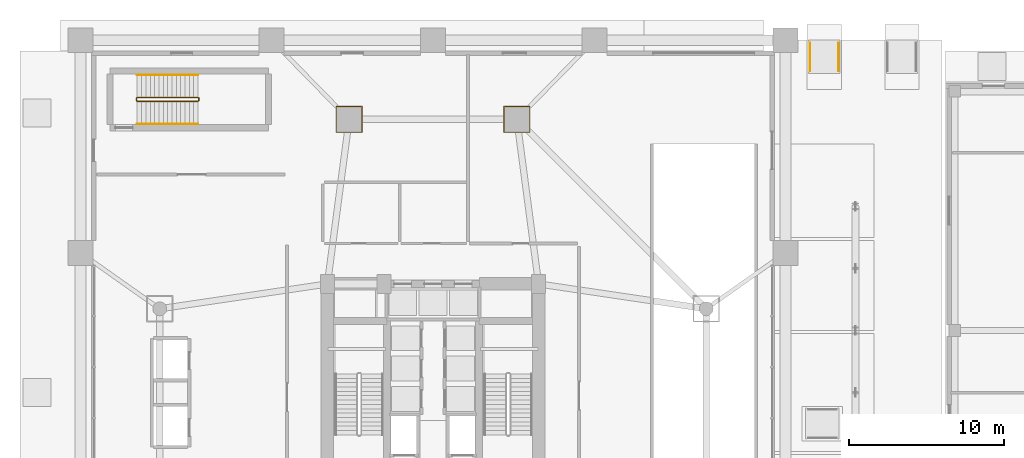
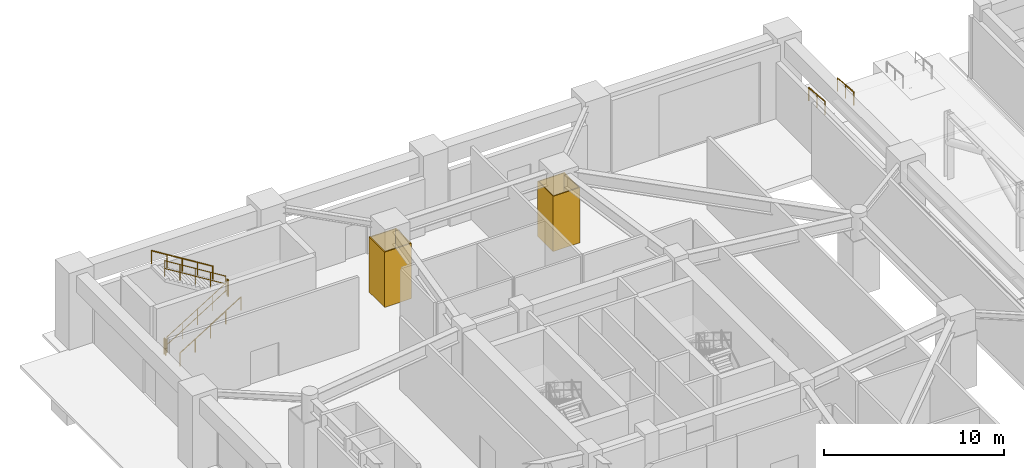
# One storey, part 25 of 27: 8 railings, 2 coverings.
"""IFC4 building model written with IfcOpenShell, lengths in metres."""

from ifc_helpers import new_model, si_unit, direction, frame, origin, origin_2d, place, context, subcontext, project, spatial, polyline, circle, outline, extrude, material, layer, layer_set, type_object, element, save


model = new_model("IFC4")

# Units and contexts
model_context = context("Model", 3, precision=1e-05, world=origin(), true_north=direction((0.0, 1.0)))
body_context = subcontext(model_context, "Body", "Model", "MODEL_VIEW")
ifc_project = project(units=[si_unit("LENGTHUNIT", "METRE"), si_unit("AREAUNIT", "SQUARE_METRE"), si_unit("VOLUMEUNIT", "CUBIC_METRE"), si_unit("PLANEANGLEUNIT", "RADIAN"), si_unit("MASSUNIT", "GRAM", prefix="KILO")], contexts=[model_context])

# Site, building, storey
site_placement = place(None, origin())
site = spatial("IfcSite", under=ifc_project, at=site_placement, CompositionType="ELEMENT")
building_placement = place(site_placement, origin())
building = spatial("IfcBuilding", under=site, at=building_placement, Name="Veraguas Prism Commons", CompositionType="ELEMENT")
storey_placement = place(building_placement, origin())
storey = spatial("IfcBuildingStorey", under=building, at=storey_placement, Name="L00", CompositionType="ELEMENT", Elevation=0.0)

# Coverings
ifc_material_1 = material(Name="Anodised aluminium EN AW-6063 T6", Category="aluminium")
ifc_layer = layer(ifc_material_1, 0.014892578125, Name="Pale-Metal Column Cladding Casing 15", Category="aluminium")
ifc_layer_set = layer_set([ifc_layer], Name="Anodised aluminium EN AW-6063 T6")
covering_type = type_object("IfcCoveringType", Name="Pale-Metal Column Cladding Casing 15", PredefinedType="CLADDING", material=ifc_layer_set)
covering_1_placement = place(storey_placement, origin())
element("IfcCovering", 1, at=covering_1_placement, inside=storey, type_object=covering_type, Name="Concourse Column Pale-Metal Cladding 03", PredefinedType="CLADDING", context=body_context, shape_type="SweptSolid", body=[
    extrude(outline(polyline([(28.5400390625, 40.739990234375), (30.260009765625, 40.739990234375), (30.260009765625, 42.4599609375), (28.5400390625, 42.4599609375), (28.5400390625, 40.739990234375)]), holes=[polyline([(28.60009765625, 40.800048828125), (30.199951171875, 40.800048828125), (30.199951171875, 42.39990234375), (28.60009765625, 42.39990234375), (28.60009765625, 40.800048828125)])]), origin(), (0.0, 0.0, 1.0), 3.75),
])
covering_2_placement = place(storey_placement, origin())
element("IfcCovering", 2, at=covering_2_placement, inside=storey, type_object=covering_type, Name="Concourse Column Pale-Metal Cladding 04", PredefinedType="CLADDING", context=body_context, shape_type="SweptSolid", body=[
    extrude(outline(polyline([(17.739990234375, 40.739990234375), (19.4599609375, 40.739990234375), (19.4599609375, 42.4599609375), (17.739990234375, 42.4599609375), (17.739990234375, 40.739990234375)]), holes=[polyline([(17.800048828125, 40.800048828125), (19.39990234375, 40.800048828125), (19.39990234375, 42.39990234375), (17.800048828125, 42.39990234375), (17.800048828125, 40.800048828125)])]), origin(), (0.0, 0.0, 1.0), 3.75),
])

# Railings
ifc_material_2 = material(Name="Stainless steel AISI 316", Category="steel")
railing_type_1 = type_object("IfcRailingType", Name="Stair and Ramp Stainless Handrail 900", PredefinedType="HANDRAIL", material=ifc_material_2)
railing_1_placement = place(storey_placement, frame((4.949951171875, 41.31005859375, 0.17333984375)))
element("IfcRailing", 3, at=railing_1_placement, inside=storey, type_object=railing_type_1, Name="Stair Handrail ST-M2 L00-1", PredefinedType="HANDRAIL", context=body_context, shape_type="SweptSolid", body=[
    extrude(circle(Radius=0.02392578125, at=origin_2d()), frame((0.0, 0.0, 0.8759765625), z_axis=(0.850266275192, 0.0, 0.526352791643), x_axis=(0.0, 1.0, 0.0)), (0.0, 0.0, 1.0), 4.610595703125),
    extrude(circle(Radius=0.02099609375, at=origin_2d()), origin(), (0.0, 0.0, 1.0), 0.851806640625),
    extrude(circle(Radius=0.02099609375, at=origin_2d()), frame((0.97998046875, 0.0, 0.606689453125)), (0.0, 0.0, 1.0), 0.851806640625),
    extrude(circle(Radius=0.02099609375, at=origin_2d()), frame((1.9599609375, 0.0, 1.21337890625)), (0.0, 0.0, 1.0), 0.851806640625),
    extrude(circle(Radius=0.02099609375, at=origin_2d()), frame((2.940185546875, 0.0, 1.820068359375)), (0.0, 0.0, 1.0), 0.851806640625),
    extrude(circle(Radius=0.02099609375, at=origin_2d()), frame((3.920166015625, 0.0, 2.4267578125)), (0.0, 0.0, 1.0), 0.851806640625),
])
railing_2_placement = place(storey_placement, frame((8.8701171875, 44.4599609375, 2.7734375)))
element("IfcRailing", 4, at=railing_2_placement, inside=storey, type_object=railing_type_1, Name="Stair Handrail ST-M2 L00-2", PredefinedType="HANDRAIL", context=body_context, shape_type="SweptSolid", body=[
    extrude(circle(Radius=0.02392578125, at=origin_2d()), frame((0.0, 0.0, 0.8759765625), z_axis=(-0.850289973577, 0.0, 0.526314507528), x_axis=(0.0, -1.0, 0.0)), (0.0, 0.0, 1.0), 4.6103515625),
    extrude(circle(Radius=0.02099609375, at=origin_2d()), origin(), (0.0, 0.0, 1.0), 0.851806640625),
    extrude(circle(Radius=0.02099609375, at=origin_2d()), frame((-0.97998046875, 0.0, 0.606689453125)), (0.0, 0.0, 1.0), 0.851806640625),
    extrude(circle(Radius=0.02099609375, at=origin_2d()), frame((-1.9599609375, 0.0, 1.21337890625)), (0.0, 0.0, 1.0), 0.851806640625),
    extrude(circle(Radius=0.02099609375, at=origin_2d()), frame((-2.940185546875, 0.0, 1.81982421875)), (0.0, 0.0, 1.0), 0.851806640625),
    extrude(circle(Radius=0.02099609375, at=origin_2d()), frame((-3.920166015625, 0.0, 2.426513671875)), (0.0, 0.0, 1.0), 0.851806640625),
])
for number, where, name in (
    (5, (48.280029296875, 46.52001953125, -0.1650390625), "Accessible Ramp Handrail AC02-L"),
    (6, (50.1201171875, 46.52001953125, -0.1650390625), "Accessible Ramp Handrail AC02-R"),
):
    element("IfcRailing", number, at=place(storey_placement, frame(where)), inside=storey, type_object=railing_type_1, Name=name, PredefinedType="HANDRAIL", context=body_context, shape_type="SweptSolid", body=[
        extrude(circle(Radius=0.02392578125, at=origin_2d()), frame((0.0, 0.0, 0.8759765625), z_axis=(0.0, -0.996539230174, 0.083123779541), x_axis=(1.0, 0.0, 0.0)), (0.0, 0.0, 1.0), 1.806396484375),
        extrude(circle(Radius=0.02099609375, at=origin_2d()), origin(), (0.0, 0.0, 1.0), 0.851806640625),
        extrude(circle(Radius=0.02099609375, at=origin_2d()), frame((0.0, -0.89990234375, 0.0751953125)), (0.0, 0.0, 1.0), 0.851806640625),
        extrude(circle(Radius=0.02099609375, at=origin_2d()), frame((0.0, -1.800048828125, 0.150146484375)), (0.0, 0.0, 1.0), 0.851806640625),
    ])
railing_type_2 = type_object("IfcRailingType", Name="Stairwell Safety Guardrail 1100", PredefinedType="GUARDRAIL", material=ifc_material_2)
railing_3_placement = place(storey_placement, frame((4.949951171875, 42.760009765625, 0.17333984375)))
element("IfcRailing", 7, at=railing_3_placement, inside=storey, type_object=railing_type_2, Name="Stair Guard ST-M2 L00-1", PredefinedType="GUARDRAIL", context=body_context, shape_type="SweptSolid", body=[
    extrude(circle(Radius=0.02392578125, at=origin_2d()), frame((0.0, 0.0, 1.076171875), z_axis=(0.850266275192, 0.0, 0.526352791643), x_axis=(0.0, 1.0, 0.0)), (0.0, 0.0, 1.0), 4.610595703125),
    extrude(circle(Radius=0.02392578125, at=origin_2d()), frame((0.0, 0.0, 0.550048828125), z_axis=(0.850266275192, 0.0, 0.526352791643), x_axis=(0.0, 1.0, 0.0)), (0.0, 0.0, 1.0), 4.610595703125),
    extrude(circle(Radius=0.02099609375, at=origin_2d()), origin(), (0.0, 0.0, 1.0), 1.052001953125),
    extrude(circle(Radius=0.02099609375, at=origin_2d()), frame((0.97998046875, 0.0, 0.606689453125)), (0.0, 0.0, 1.0), 1.052001953125),
    extrude(circle(Radius=0.02099609375, at=origin_2d()), frame((1.9599609375, 0.0, 1.21337890625)), (0.0, 0.0, 1.0), 1.052001953125),
    extrude(circle(Radius=0.02099609375, at=origin_2d()), frame((2.940185546875, 0.0, 1.820068359375)), (0.0, 0.0, 1.0), 1.052001953125),
    extrude(circle(Radius=0.02099609375, at=origin_2d()), frame((3.920166015625, 0.0, 2.4267578125)), (0.0, 0.0, 1.0), 1.052001953125),
])
railing_4_placement = place(storey_placement, frame((8.919921875, 42.81005859375, 2.60009765625)))
element("IfcRailing", 8, at=railing_4_placement, inside=storey, type_object=railing_type_2, Name="Stair Guard ST-M2 L00-2", PredefinedType="GUARDRAIL", context=body_context, shape_type="SweptSolid", body=[
    extrude(circle(Radius=0.02392578125, at=origin_2d()), frame((0.0, 0.0, 1.076171875), z_axis=(0.0, 1.0, 0.0), x_axis=(-1.0, 0.0, 0.0)), (0.0, 0.0, 1.0), 0.14990234375),
    extrude(circle(Radius=0.02392578125, at=origin_2d()), frame((0.0, 0.0, 0.550048828125), z_axis=(0.0, 1.0, 0.0), x_axis=(-1.0, 0.0, 0.0)), (0.0, 0.0, 1.0), 0.14990234375),
    extrude(circle(Radius=0.02099609375, at=origin_2d()), origin(), (0.0, 0.0, 1.0), 1.052001953125),
    extrude(circle(Radius=0.02099609375, at=origin_2d()), frame((0.0, 0.14990234375, 0.0)), (0.0, 0.0, 1.0), 1.052001953125),
])
railing_5_placement = place(storey_placement, frame((8.8701171875, 43.010009765625, 2.7734375)))
element("IfcRailing", 9, at=railing_5_placement, inside=storey, type_object=railing_type_2, Name="Stair Guard ST-M2 L00-3", PredefinedType="GUARDRAIL", context=body_context, shape_type="SweptSolid", body=[
    extrude(circle(Radius=0.02392578125, at=origin_2d()), frame((0.0, 0.0, 1.076171875), z_axis=(-0.850289973577, 0.0, 0.526314507528), x_axis=(0.0, -1.0, 0.0)), (0.0, 0.0, 1.0), 4.6103515625),
    extrude(circle(Radius=0.02392578125, at=origin_2d()), frame((0.0, 0.0, 0.550048828125), z_axis=(-0.850289973577, 0.0, 0.526314507528), x_axis=(0.0, -1.0, 0.0)), (0.0, 0.0, 1.0), 4.6103515625),
    extrude(circle(Radius=0.02099609375, at=origin_2d()), origin(), (0.0, 0.0, 1.0), 1.052001953125),
    extrude(circle(Radius=0.02099609375, at=origin_2d()), frame((-0.97998046875, 0.0, 0.606689453125)), (0.0, 0.0, 1.0), 1.052001953125),
    extrude(circle(Radius=0.02099609375, at=origin_2d()), frame((-1.9599609375, 0.0, 1.21337890625)), (0.0, 0.0, 1.0), 1.052001953125),
    extrude(circle(Radius=0.02099609375, at=origin_2d()), frame((-2.940185546875, 0.0, 1.81982421875)), (0.0, 0.0, 1.0), 1.052001953125),
    extrude(circle(Radius=0.02099609375, at=origin_2d()), frame((-3.920166015625, 0.0, 2.426513671875)), (0.0, 0.0, 1.0), 1.052001953125),
])
railing_6_placement = place(storey_placement, frame((4.89990234375, 42.81005859375, 0.0)))
element("IfcRailing", 10, at=railing_6_placement, inside=storey, type_object=railing_type_2, Name="Stair Guard ST-M2 L00-4", PredefinedType="GUARDRAIL", context=body_context, shape_type="SweptSolid", body=[
    extrude(circle(Radius=0.02392578125, at=origin_2d()), frame((0.0, 0.0, 1.076171875), z_axis=(0.0, 1.0, 0.0), x_axis=(-1.0, 0.0, 0.0)), (0.0, 0.0, 1.0), 0.14990234375),
    extrude(circle(Radius=0.02392578125, at=origin_2d()), frame((0.0, 0.0, 0.550048828125), z_axis=(0.0, 1.0, 0.0), x_axis=(-1.0, 0.0, 0.0)), (0.0, 0.0, 1.0), 0.14990234375),
    extrude(circle(Radius=0.02099609375, at=origin_2d()), origin(), (0.0, 0.0, 1.0), 1.052001953125),
    extrude(circle(Radius=0.02099609375, at=origin_2d()), frame((0.0, 0.14990234375, 0.0)), (0.0, 0.0, 1.0), 1.052001953125),
])

save(model, "model.ifc")
